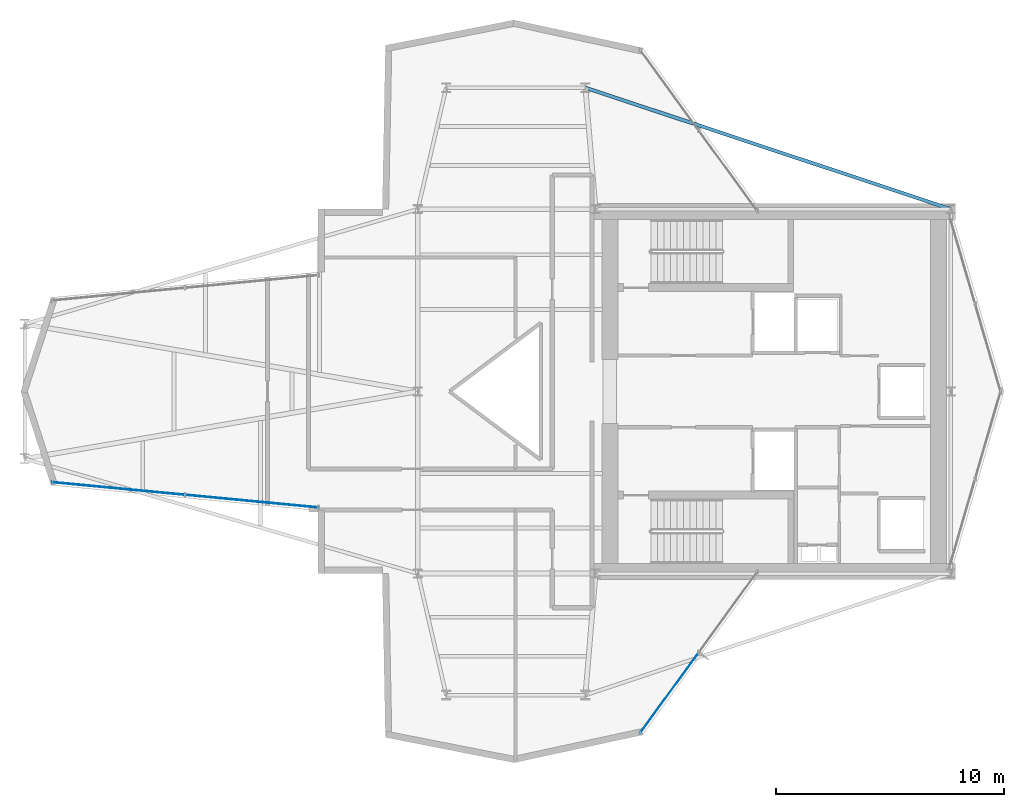
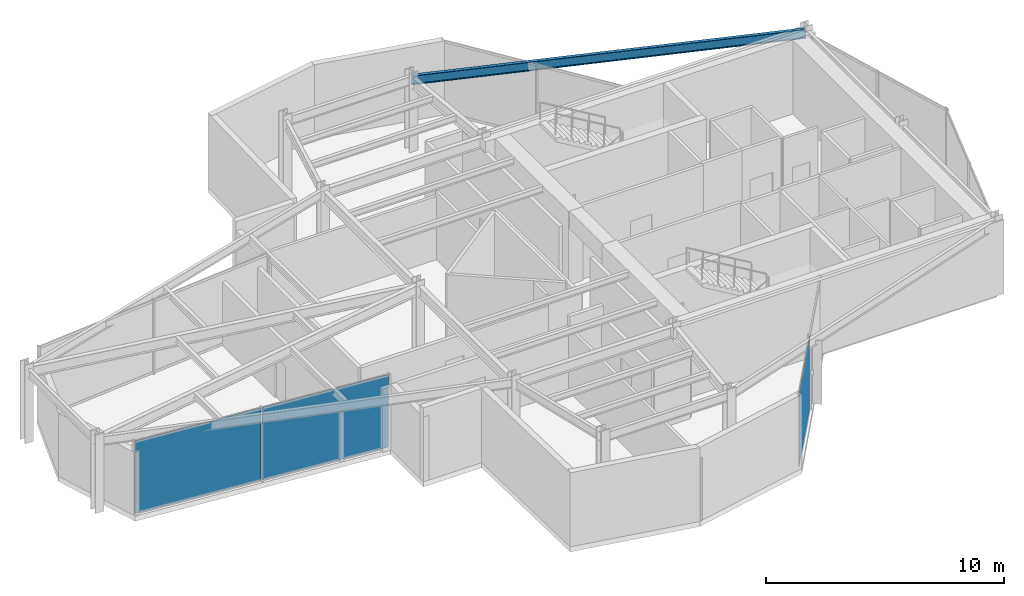
# One storey, part 16 of 21: 3 plates, 1 beam, 2 elements without a shape of their own.
"""IFC4 building model written with IfcOpenShell, lengths in metres."""

from ifc_helpers import new_model, si_unit, direction, frame, origin, origin_2d, place, context, subcontext, project, spatial, rectangle, i_section, extrude, material, layer, layer_set, material_profile, profile_set, type_object, element, aggregate, save


model = new_model("IFC4")

# Units and contexts
model_context = context("Model", 3, precision=1e-05, world=origin(), true_north=direction((0.0, 1.0)))
body_context = subcontext(model_context, "Body", "Model", "MODEL_VIEW")
ifc_project = project(units=[si_unit("LENGTHUNIT", "METRE"), si_unit("AREAUNIT", "SQUARE_METRE"), si_unit("VOLUMEUNIT", "CUBIC_METRE"), si_unit("PLANEANGLEUNIT", "RADIAN"), si_unit("MASSUNIT", "GRAM", prefix="KILO")], contexts=[model_context])

# Site, building, storey
site_placement = place(None, origin())
site = spatial("IfcSite", under=ifc_project, at=site_placement, CompositionType="ELEMENT")
building_placement = place(site_placement, origin())
building = spatial("IfcBuilding", under=site, at=building_placement, Name="Veymaron Broadcast Tower", CompositionType="ELEMENT")
storey_placement = place(building_placement, frame((0.0, 0.0, 228.300048828125)))
storey = spatial("IfcBuildingStorey", under=building, at=storey_placement, Name="L53", CompositionType="ELEMENT", Elevation=228.300048828125)

# Beam
ifc_material_1 = material(Name="Structural steel ASTM A992 Gr 50", Category="steel")
ifc_material_profile = material_profile(ifc_material_1, i_section(OverallWidth=0.154052734375, OverallDepth=0.458984375, WebThickness=0.009033203125, FlangeThickness=0.015380859375, at=origin_2d()), Name="W460X68")
ifc_profile_set = profile_set([ifc_material_profile], Name="Structural steel ASTM A992 Gr 50")
beam_type = type_object("IfcBeamType", Name="BM-SP2", PredefinedType="SPANDREL", material=ifc_profile_set)
beam_placement = place(storey_placement, frame((54.60009765625, 32.0, 3.560546875), z_axis=(-0.949007696126, 0.315252902753, 0.0), x_axis=(-0.315252902753, -0.949007696126, 0.0)))
element("IfcBeam", 1, at=beam_placement, inside=storey, type_object=beam_type, Name="L53 primary structural floor girder", PredefinedType="SPANDREL", context=body_context, shape_type="SweptSolid", body=[
    extrude(i_section(OverallWidth=0.154052734375, OverallDepth=0.458984375, WebThickness=0.009033203125, FlangeThickness=0.015380859375, at=origin_2d()), origin(), (0.0, 0.0, 1.0), 16.9072265625),
])

# Curtain wall, plates
ifc_material_2 = material(Name="Anodised aluminium AA 6063-T6 and laminated low-E dark glass", Category="aluminium")
ifc_layer_1 = layer(ifc_material_2, 0.179931640625)
ifc_layer_set_1 = layer_set([ifc_layer_1], Name="Anodised aluminium AA 6063-T6 and laminated low-E dark glass")
curtain_wall_type = type_object("IfcCurtainWallType", Name="CW-SYS-05", PredefinedType="NOTDEFINED", material=ifc_layer_set_1)
curtain_wall_1_placement = place(storey_placement, origin())
curtain_wall_1 = element("IfcCurtainWall", 2, at=curtain_wall_1_placement, inside=storey, type_object=curtain_wall_type, Name="L53 dark-glass curtain wall CW-L53-E14-1", PredefinedType="NOTDEFINED")
ifc_material_3 = material(Name="Double-silver solar-control dark glass IGU 32 mm", Category="glass")
ifc_layer_2 = layer(ifc_material_3, 0.031982421875)
ifc_layer_set_2 = layer_set([ifc_layer_2], Name="Double-silver solar-control dark glass IGU 32 mm")
plate_type = type_object("IfcPlateType", Name="CW-PNL-02", PredefinedType="CURTAIN_PANEL", material=ifc_layer_set_2)
plate_1_placement = place(storey_placement, frame((18.044189453125, 19.735595703125, 0.0400390625), z_axis=(0.0, 0.0, 1.0), x_axis=(0.995524106892, -0.094507949912, 0.0)))
plate_1 = element("IfcPlate", 3, at=plate_1_placement, type_object=plate_type, Name="CW-L53-E14-1 unitised curtain panel 0", PredefinedType="CURTAIN_PANEL", context=body_context, shape_type="SweptSolid", body=[
    extrude(rectangle(XDim=5.828369140625, YDim=0.031982421875, at=origin_2d()), origin(), (0.0, 0.0, 1.0), 3.7099609375),
])
plate_2_placement = place(storey_placement, frame((23.90625, 19.17919921875, 0.0400390625), z_axis=(0.0, 0.0, 1.0), x_axis=(0.995524106892, -0.094507949912, 0.0)))
plate_2 = element("IfcPlate", 4, at=plate_2_placement, type_object=plate_type, Name="CW-L53-E14-1 unitised curtain panel 1", PredefinedType="CURTAIN_PANEL", context=body_context, shape_type="SweptSolid", body=[
    extrude(rectangle(XDim=5.828369140625, YDim=0.031982421875, at=origin_2d()), origin(), (0.0, 0.0, 1.0), 3.7099609375),
])
aggregate(curtain_wall_1, [plate_1, plate_2])

# Curtain wall, plate
curtain_wall_2_placement = place(storey_placement, origin())
curtain_wall_2 = element("IfcCurtainWall", 5, at=curtain_wall_2_placement, inside=storey, type_object=curtain_wall_type, Name="L53 dark-glass curtain wall CW-L53-E20-1", PredefinedType="NOTDEFINED")
plate_3_placement = place(storey_placement, frame((42.242919921875, 10.770751953125, 0.0400390625), z_axis=(0.0, 0.0, 1.0), x_axis=(0.588109965161, 0.808780977075, 0.0)))
plate_3 = element("IfcPlate", 6, at=plate_3_placement, type_object=plate_type, Name="CW-L53-E20-1 unitised curtain panel 0", PredefinedType="CURTAIN_PANEL", context=body_context, shape_type="SweptSolid", body=[
    extrude(rectangle(XDim=4.318115234375, YDim=0.031982421875, at=origin_2d()), origin(), (0.0, 0.0, 1.0), 3.7099609375),
])
aggregate(curtain_wall_2, [plate_3])

save(model, "model.ifc")
